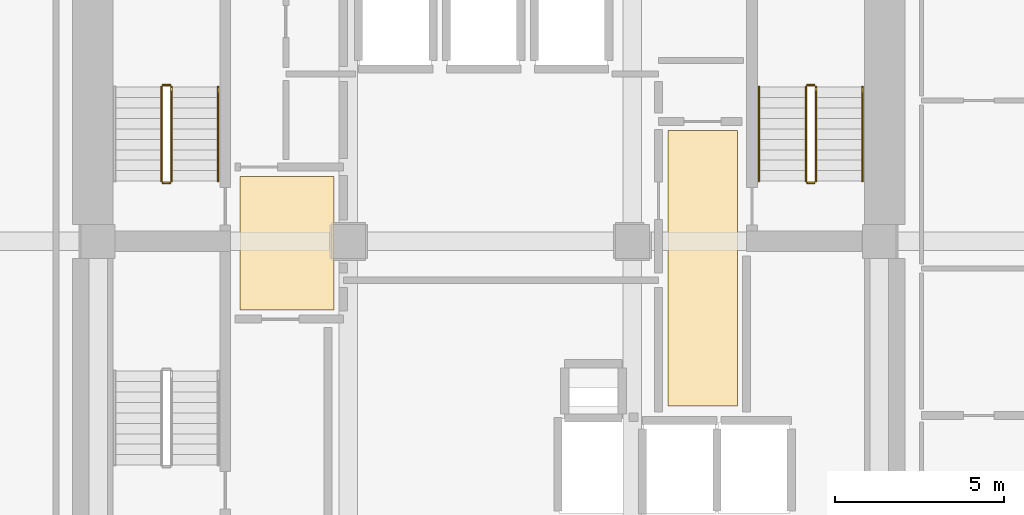
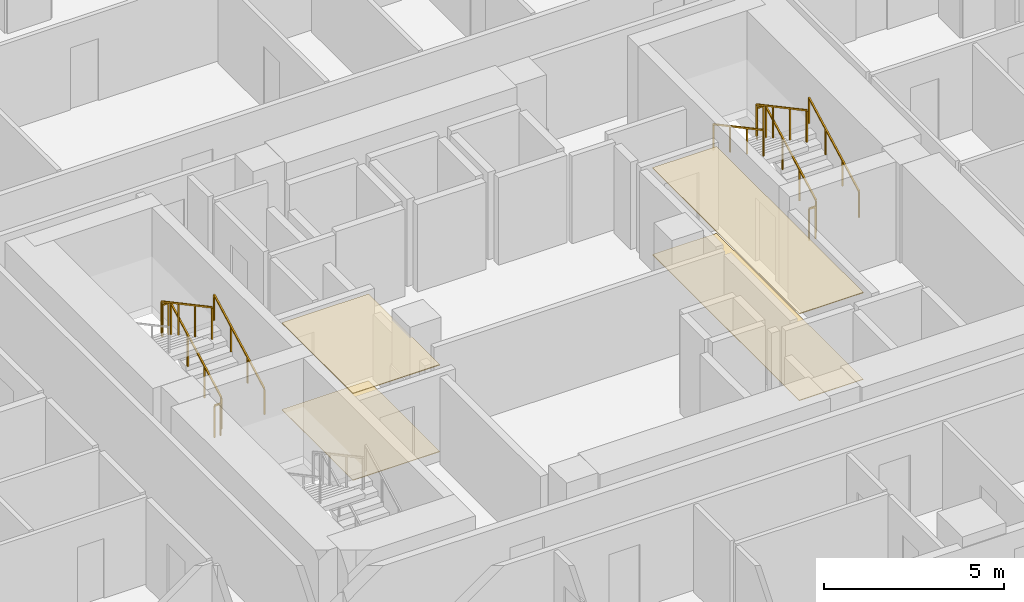
# One storey, part 11 of 12: 11 railings, 4 coverings.
"""IFC4 building model written with IfcOpenShell, lengths in metres."""

from ifc_helpers import new_model, si_unit, direction, frame, origin, origin_2d, place, context, subcontext, project, spatial, polyline, rectangle, outline, extrude, material, layer, layer_set, type_object, element, save


model = new_model("IFC4")

# Units and contexts
model_context = context("Model", 3, precision=1e-05, world=origin(), true_north=direction((0.0, 1.0)))
body_context = subcontext(model_context, "Body", "Model", "MODEL_VIEW")
ifc_project = project(units=[si_unit("LENGTHUNIT", "METRE"), si_unit("AREAUNIT", "SQUARE_METRE"), si_unit("VOLUMEUNIT", "CUBIC_METRE"), si_unit("PLANEANGLEUNIT", "RADIAN"), si_unit("MASSUNIT", "GRAM", prefix="KILO")], contexts=[model_context])

# Site, building, storey
site_placement = place(None, origin())
site = spatial("IfcSite", under=ifc_project, at=site_placement, CompositionType="ELEMENT")
building_placement = place(site_placement, origin())
building = spatial("IfcBuilding", under=site, at=building_placement, Name="Solanera Arch Residences", CompositionType="ELEMENT")
storey_placement = place(building_placement, frame((0.0, 0.0, 85.080078125)))
storey = spatial("IfcBuildingStorey", under=building, at=storey_placement, Name="L24", CompositionType="ELEMENT", Elevation=85.080078125)

# Coverings
ifc_material_1 = material(Name="Porcelain Acoustic Floor Tile", Category="ceramic")
ifc_layer_1 = layer(ifc_material_1, 0.02001953125)
ifc_layer_set_1 = layer_set([ifc_layer_1], Name="Porcelain Acoustic Floor Tile")
covering_type_1 = type_object("IfcCoveringType", Name="Porcelain Acoustic Floor Finish FLR-20", PredefinedType="FLOORING", material=ifc_layer_set_1)
covering_1_placement = place(storey_placement, origin())
element("IfcCovering", 1, at=covering_1_placement, inside=storey, type_object=covering_type_1, Name="L24-FFL-W Porcelain Floor Finish", PredefinedType="FLOORING", context=body_context, shape_type="SweptSolid", body=[
    extrude(outline(polyline([(20.375, 28.675048828125), (17.594970703125, 28.675048828125), (17.594970703125, 32.625), (20.375, 32.625), (20.375, 28.675048828125)])), origin(), (0.0, 0.0, 1.0), 0.02001953125),
])
covering_2_placement = place(storey_placement, origin())
element("IfcCovering", 2, at=covering_2_placement, inside=storey, type_object=covering_type_1, Name="L24-FFL-E Porcelain Floor Finish", PredefinedType="FLOORING", context=body_context, shape_type="SweptSolid", body=[
    extrude(outline(polyline([(32.304931640625, 25.824951171875), (30.25, 25.824951171875), (30.25, 33.97509765625), (32.304931640625, 33.97509765625), (32.304931640625, 25.824951171875)])), origin(), (0.0, 0.0, 1.0), 0.02001953125),
])

# Railings
ifc_material_2 = material(Name="Steel S355 (ASTM A992 / A572 Grade 50)", Category="steel")
railing_type_1 = type_object("IfcRailingType", Name="Stair Guardrail GR-1100", PredefinedType="GUARDRAIL", material=ifc_material_2)
railing_1_placement = place(storey_placement, frame((15.570068359375, 32.47998046875, 0.15087890625)))
element("IfcRailing", 3, at=railing_1_placement, inside=storey, type_object=railing_type_1, Name="L24 ST-T1 stair guard 1", PredefinedType="GUARDRAIL", context=body_context, shape_type="SweptSolid", body=[
    extrude(rectangle(XDim=0.048095703125, YDim=0.048095703125, at=origin_2d()), frame((0.0, 0.0, 1.076171875), z_axis=(0.0, 0.881548766853, 0.472092969298), x_axis=(-1.0, 0.0, 0.0)), (0.0, 0.0, 1.0), 3.1650390625),
    extrude(rectangle(XDim=0.0419921875, YDim=0.0419921875, at=origin_2d()), origin(), (0.0, 0.0, 1.0), 1.052001953125),
    extrude(rectangle(XDim=0.0419921875, YDim=0.0419921875, at=origin_2d()), frame((0.0, 0.929931640625, 0.498046875)), (0.0, 0.0, 1.0), 1.052001953125),
    extrude(rectangle(XDim=0.0419921875, YDim=0.0419921875, at=origin_2d()), frame((0.0, 1.860107421875, 0.99609375)), (0.0, 0.0, 1.0), 1.052001953125),
    extrude(rectangle(XDim=0.0419921875, YDim=0.0419921875, at=origin_2d()), frame((0.0, 2.7900390625, 1.494140625)), (0.0, 0.0, 1.0), 1.052001953125),
])
railing_2_placement = place(storey_placement, frame((15.52001953125, 35.320068359375, 1.64501953125)))
element("IfcRailing", 4, at=railing_2_placement, inside=storey, type_object=railing_type_1, Name="L24 ST-T1 stair guard 2", PredefinedType="GUARDRAIL", context=body_context, shape_type="SweptSolid", body=[
    extrude(rectangle(XDim=0.048095703125, YDim=0.048095703125, at=origin_2d()), frame((0.0, 0.0, 1.076171875), z_axis=(-1.0, 0.0, 0.0), x_axis=(0.0, -1.0, 0.0)), (0.0, 0.0, 1.0), 0.199951171875),
    extrude(rectangle(XDim=0.0419921875, YDim=0.0419921875, at=origin_2d()), origin(), (0.0, 0.0, 1.0), 1.052001953125),
    extrude(rectangle(XDim=0.0419921875, YDim=0.0419921875, at=origin_2d()), frame((-0.199951171875, 0.0, 0.0)), (0.0, 0.0, 1.0), 1.052001953125),
])
railing_3_placement = place(storey_placement, frame((15.27001953125, 35.27001953125, 1.81103515625)))
element("IfcRailing", 5, at=railing_3_placement, inside=storey, type_object=railing_type_1, Name="L24 ST-T1 stair guard 3", PredefinedType="GUARDRAIL", context=body_context, shape_type="SweptSolid", body=[
    extrude(rectangle(XDim=0.048095703125, YDim=0.048095703125, at=origin_2d()), frame((0.0, 0.0, 1.076171875), z_axis=(0.0, -0.881580869306, 0.472033018838), x_axis=(1.0, 0.0, 0.0)), (0.0, 0.0, 1.0), 3.164794921875),
    extrude(rectangle(XDim=0.0419921875, YDim=0.0419921875, at=origin_2d()), origin(), (0.0, 0.0, 1.0), 1.052001953125),
    extrude(rectangle(XDim=0.0419921875, YDim=0.0419921875, at=origin_2d()), frame((0.0, -0.929931640625, 0.498046875)), (0.0, 0.0, 1.0), 1.052001953125),
    extrude(rectangle(XDim=0.0419921875, YDim=0.0419921875, at=origin_2d()), frame((0.0, -1.860107421875, 0.995849609375)), (0.0, 0.0, 1.0), 1.052001953125),
    extrude(rectangle(XDim=0.0419921875, YDim=0.0419921875, at=origin_2d()), frame((0.0, -2.7900390625, 1.493896484375)), (0.0, 0.0, 1.0), 1.052001953125),
])
railing_4_placement = place(storey_placement, frame((15.52001953125, 32.429931640625, -0.01513671875)))
element("IfcRailing", 6, at=railing_4_placement, inside=storey, type_object=railing_type_1, Name="L24 ST-T1 stair guard 4", PredefinedType="GUARDRAIL", context=body_context, shape_type="SweptSolid", body=[
    extrude(rectangle(XDim=0.048095703125, YDim=0.048095703125, at=origin_2d()), frame((0.0, 0.0, 1.076171875), z_axis=(-1.0, 0.0, 0.0), x_axis=(0.0, -1.0, 0.0)), (0.0, 0.0, 1.0), 0.199951171875),
    extrude(rectangle(XDim=0.0419921875, YDim=0.0419921875, at=origin_2d()), origin(), (0.0, 0.0, 1.0), 1.052001953125),
    extrude(rectangle(XDim=0.0419921875, YDim=0.0419921875, at=origin_2d()), frame((-0.199951171875, 0.0, 0.0)), (0.0, 0.0, 1.0), 1.052001953125),
])
railing_5_placement = place(storey_placement, frame((34.6298828125, 32.47998046875, 0.15087890625)))
element("IfcRailing", 7, at=railing_5_placement, inside=storey, type_object=railing_type_1, Name="L24 ST-T2 stair guard 1", PredefinedType="GUARDRAIL", context=body_context, shape_type="SweptSolid", body=[
    extrude(rectangle(XDim=0.048095703125, YDim=0.048095703125, at=origin_2d()), frame((0.0, 0.0, 1.076171875), z_axis=(0.0, 0.881548766853, 0.472092969298), x_axis=(-1.0, 0.0, 0.0)), (0.0, 0.0, 1.0), 3.1650390625),
    extrude(rectangle(XDim=0.0419921875, YDim=0.0419921875, at=origin_2d()), origin(), (0.0, 0.0, 1.0), 1.052001953125),
    extrude(rectangle(XDim=0.0419921875, YDim=0.0419921875, at=origin_2d()), frame((0.0, 0.929931640625, 0.498046875)), (0.0, 0.0, 1.0), 1.052001953125),
    extrude(rectangle(XDim=0.0419921875, YDim=0.0419921875, at=origin_2d()), frame((0.0, 1.860107421875, 0.99609375)), (0.0, 0.0, 1.0), 1.052001953125),
    extrude(rectangle(XDim=0.0419921875, YDim=0.0419921875, at=origin_2d()), frame((0.0, 2.7900390625, 1.494140625)), (0.0, 0.0, 1.0), 1.052001953125),
])
railing_6_placement = place(storey_placement, frame((34.580078125, 35.320068359375, 1.64501953125)))
element("IfcRailing", 8, at=railing_6_placement, inside=storey, type_object=railing_type_1, Name="L24 ST-T2 stair guard 2", PredefinedType="GUARDRAIL", context=body_context, shape_type="SweptSolid", body=[
    extrude(rectangle(XDim=0.048095703125, YDim=0.048095703125, at=origin_2d()), frame((0.0, 0.0, 1.076171875), z_axis=(-1.0, 0.0, 0.0), x_axis=(0.0, -1.0, 0.0)), (0.0, 0.0, 1.0), 0.2001953125),
    extrude(rectangle(XDim=0.0419921875, YDim=0.0419921875, at=origin_2d()), origin(), (0.0, 0.0, 1.0), 1.052001953125),
    extrude(rectangle(XDim=0.0419921875, YDim=0.0419921875, at=origin_2d()), frame((-0.2001953125, 0.0, 0.0)), (0.0, 0.0, 1.0), 1.052001953125),
])
railing_7_placement = place(storey_placement, frame((34.330078125, 35.27001953125, 1.81103515625)))
element("IfcRailing", 9, at=railing_7_placement, inside=storey, type_object=railing_type_1, Name="L24 ST-T2 stair guard 3", PredefinedType="GUARDRAIL", context=body_context, shape_type="SweptSolid", body=[
    extrude(rectangle(XDim=0.048095703125, YDim=0.048095703125, at=origin_2d()), frame((0.0, 0.0, 1.076171875), z_axis=(0.0, -0.881580869306, 0.472033018838), x_axis=(1.0, 0.0, 0.0)), (0.0, 0.0, 1.0), 3.164794921875),
    extrude(rectangle(XDim=0.0419921875, YDim=0.0419921875, at=origin_2d()), origin(), (0.0, 0.0, 1.0), 1.052001953125),
    extrude(rectangle(XDim=0.0419921875, YDim=0.0419921875, at=origin_2d()), frame((0.0, -0.929931640625, 0.498046875)), (0.0, 0.0, 1.0), 1.052001953125),
    extrude(rectangle(XDim=0.0419921875, YDim=0.0419921875, at=origin_2d()), frame((0.0, -1.860107421875, 0.995849609375)), (0.0, 0.0, 1.0), 1.052001953125),
    extrude(rectangle(XDim=0.0419921875, YDim=0.0419921875, at=origin_2d()), frame((0.0, -2.7900390625, 1.493896484375)), (0.0, 0.0, 1.0), 1.052001953125),
])
railing_8_placement = place(storey_placement, frame((34.580078125, 32.429931640625, -0.01513671875)))
element("IfcRailing", 10, at=railing_8_placement, inside=storey, type_object=railing_type_1, Name="L24 ST-T2 stair guard 4", PredefinedType="GUARDRAIL", context=body_context, shape_type="SweptSolid", body=[
    extrude(rectangle(XDim=0.048095703125, YDim=0.048095703125, at=origin_2d()), frame((0.0, 0.0, 1.076171875), z_axis=(-1.0, 0.0, 0.0), x_axis=(0.0, -1.0, 0.0)), (0.0, 0.0, 1.0), 0.2001953125),
    extrude(rectangle(XDim=0.0419921875, YDim=0.0419921875, at=origin_2d()), origin(), (0.0, 0.0, 1.0), 1.052001953125),
    extrude(rectangle(XDim=0.0419921875, YDim=0.0419921875, at=origin_2d()), frame((-0.2001953125, 0.0, 0.0)), (0.0, 0.0, 1.0), 1.052001953125),
])
ifc_material_3 = material(Name="Steel S355 (ASTM A992 / A572 Grade 50)", Category="steel")
railing_type_2 = type_object("IfcRailingType", Name="Stair Wall Handrail HR-920", PredefinedType="HANDRAIL", material=ifc_material_3)
for number, where, name in (
    (11, (16.949951171875, 32.47998046875, 0.166015625), "L24 ST-T1 stair handrail 1"),
    (12, (36.010009765625, 32.47998046875, 0.166015625), "L24 ST-T2 stair handrail 1"),
):
    element("IfcRailing", number, at=place(storey_placement, frame(where)), inside=storey, type_object=railing_type_2, Name=name, PredefinedType="HANDRAIL", context=body_context, shape_type="SweptSolid", body=[
        extrude(rectangle(XDim=0.048095703125, YDim=0.048095703125, at=origin_2d()), frame((0.0, 0.0, 0.8759765625), z_axis=(0.0, 0.881580869306, 0.472033018838), x_axis=(-1.0, 0.0, 0.0)), (0.0, 0.0, 1.0), 3.164794921875),
        extrude(rectangle(XDim=0.0419921875, YDim=0.0419921875, at=origin_2d()), origin(), (0.0, 0.0, 1.0), 0.851806640625),
        extrude(rectangle(XDim=0.0419921875, YDim=0.0419921875, at=origin_2d()), frame((0.0, 0.929931640625, 0.498046875)), (0.0, 0.0, 1.0), 0.851806640625),
        extrude(rectangle(XDim=0.0419921875, YDim=0.0419921875, at=origin_2d()), frame((0.0, 1.860107421875, 0.995849609375)), (0.0, 0.0, 1.0), 0.851806640625),
        extrude(rectangle(XDim=0.0419921875, YDim=0.0419921875, at=origin_2d()), frame((0.0, 2.7900390625, 1.493896484375)), (0.0, 0.0, 1.0), 0.851806640625),
    ])
railing_9_placement = place(storey_placement, frame((32.949951171875, 35.27001953125, 1.825927734375)))
element("IfcRailing", 13, at=railing_9_placement, inside=storey, type_object=railing_type_2, Name="L24 ST-T2 stair handrail 2", PredefinedType="HANDRAIL", context=body_context, shape_type="SweptSolid", body=[
    extrude(rectangle(XDim=0.048095703125, YDim=0.048095703125, at=origin_2d()), frame((0.0, 0.0, 0.8759765625), z_axis=(0.0, -0.881580869306, 0.472033018838), x_axis=(1.0, 0.0, 0.0)), (0.0, 0.0, 1.0), 3.164794921875),
    extrude(rectangle(XDim=0.0419921875, YDim=0.0419921875, at=origin_2d()), origin(), (0.0, 0.0, 1.0), 0.851806640625),
    extrude(rectangle(XDim=0.0419921875, YDim=0.0419921875, at=origin_2d()), frame((0.0, -0.929931640625, 0.498046875)), (0.0, 0.0, 1.0), 0.851806640625),
    extrude(rectangle(XDim=0.0419921875, YDim=0.0419921875, at=origin_2d()), frame((0.0, -1.860107421875, 0.995849609375)), (0.0, 0.0, 1.0), 0.851806640625),
    extrude(rectangle(XDim=0.0419921875, YDim=0.0419921875, at=origin_2d()), frame((0.0, -2.7900390625, 1.493896484375)), (0.0, 0.0, 1.0), 0.851806640625),
])

# Coverings
ifc_material_4 = material(Name="Mineral Fibre Acoustic Ceiling Board", Category="gypsum")
ifc_layer_2 = layer(ifc_material_4, 0.02490234375)
ifc_layer_set_2 = layer_set([ifc_layer_2], Name="Mineral Fibre Acoustic Ceiling Board")
covering_type_2 = type_object("IfcCoveringType", Name="Suspended Acoustic Ceiling Board CLG-25", PredefinedType="CEILING", material=ifc_layer_set_2)
covering_3_placement = place(storey_placement, frame((0.0, 0.0, 2.934814453125)))
element("IfcCovering", 14, at=covering_3_placement, inside=storey, type_object=covering_type_2, Name="L24-FFL-W Acoustic Ceiling", PredefinedType="CEILING", context=body_context, shape_type="SweptSolid", body=[
    extrude(outline(polyline([(20.375, 28.675048828125), (17.594970703125, 28.675048828125), (17.594970703125, 32.625), (20.375, 32.625), (20.375, 28.675048828125)])), origin(), (0.0, 0.0, 1.0), 0.025146484375),
])
covering_4_placement = place(storey_placement, frame((0.0, 0.0, 2.934814453125)))
element("IfcCovering", 15, at=covering_4_placement, inside=storey, type_object=covering_type_2, Name="L24-FFL-E Acoustic Ceiling", PredefinedType="CEILING", context=body_context, shape_type="SweptSolid", body=[
    extrude(outline(polyline([(32.304931640625, 25.824951171875), (30.25, 25.824951171875), (30.25, 33.97509765625), (32.304931640625, 33.97509765625), (32.304931640625, 25.824951171875)])), origin(), (0.0, 0.0, 1.0), 0.025146484375),
])

save(model, "model.ifc")
